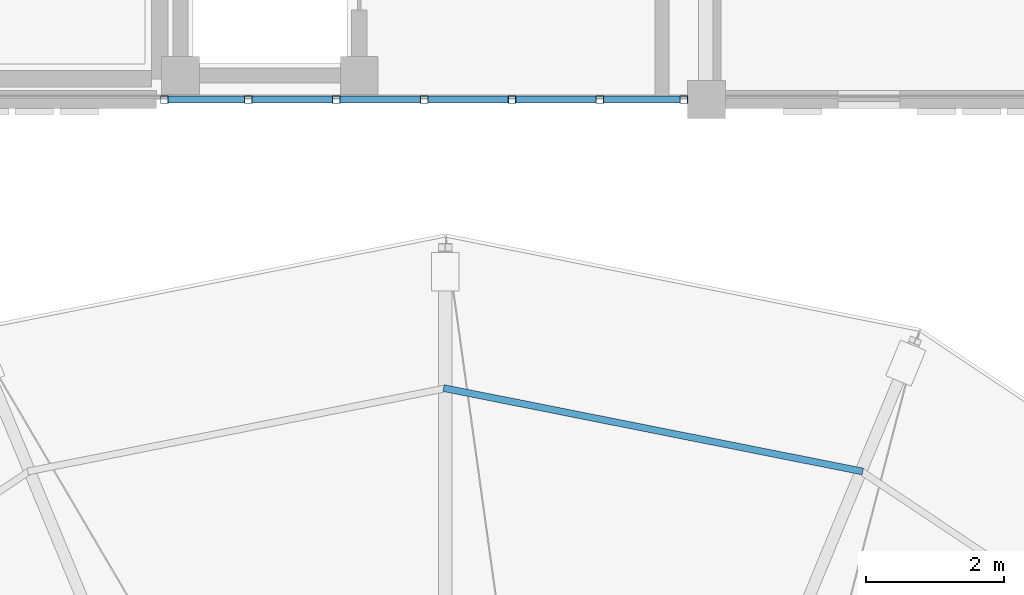
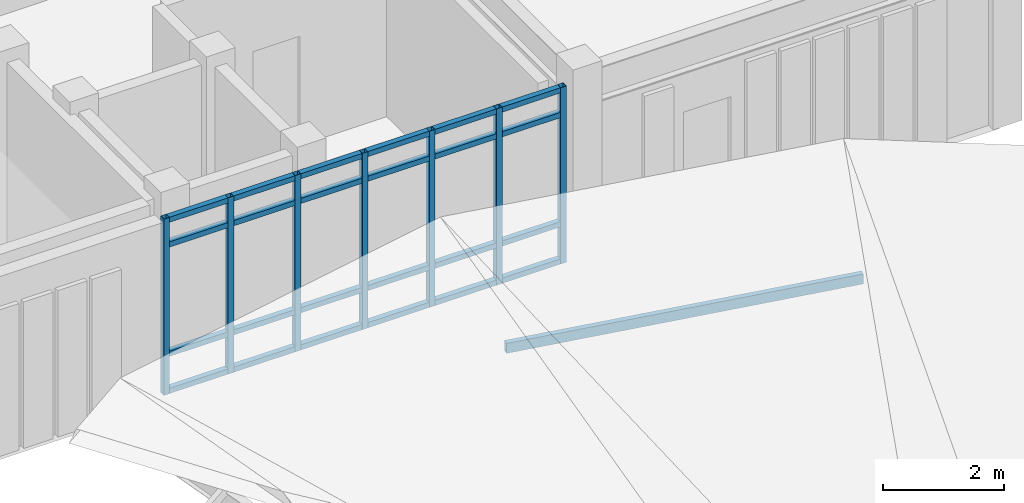
# One storey, part 6 of 31: 32 members, 1 element without a shape of its own.
"""IFC4 building model written with IfcOpenShell, lengths in metres."""

import ifcopenshell
import ifcopenshell.guid

model = None  # the IFC model being written
_history = None  # IfcOwnerHistory: only IFC2X3 demands one
_inside = {}  # id of a spatial element -> (the spatial element, [elements in it])
_under = {}  # id of a project, library or spatial element -> (it, [spatial elements below it])
_declared = {}  # id of a project -> (the project, [libraries it declares])
_typed = {}  # id of a type object -> (the type object, [elements of that type])
_made_of = {}  # id of a material, layer set ... -> (it, [elements and type objects made of it])


def new_model(schema):
    """Start an empty IFC model of exactly this schema.

    Asked for "IFC4X3", IfcOpenShell would pick the latest addendum, in which some entities
    have other attributes; the version numbers below select the first issue.
    IFC2X3 requires an IfcOwnerHistory on every rooted entity: one is made here for all.
    """
    global model, _history
    if schema == "IFC4X3":
        model = ifcopenshell.file(schema_version=(4, 3, 0, 0))
    else:
        model = ifcopenshell.file(schema=schema)
    _inside.clear()
    _under.clear()
    _declared.clear()
    _typed.clear()
    _made_of.clear()
    _history = None
    if model.schema == "IFC2X3":
        org = make("IfcOrganization", Name="unknown")
        user = make(
            "IfcPersonAndOrganization",
            ThePerson=make("IfcPerson", FamilyName="unknown"),
            TheOrganization=org,
        )
        app = make(
            "IfcApplication",
            ApplicationDeveloper=org,
            Version="unknown",
            ApplicationFullName="unknown",
            ApplicationIdentifier="unknown",
        )
        _history = make(
            "IfcOwnerHistory",
            OwningUser=user,
            OwningApplication=app,
            ChangeAction="ADDED",
            CreationDate=0,
        )
    return model


def make(cls, **values):
    """One entity of the class cls with the attributes given. An attribute that is None is left unset."""
    return model.create_entity(
        cls, **{name: value for name, value in values.items() if value is not None}
    )


def rooted(cls, **values):
    """An entity with a GlobalId (a new one), such as an element, a storey or a relation."""
    return make(cls, GlobalId=ifcopenshell.guid.new(), OwnerHistory=_history, **values)


def si_unit(unit_type, name, prefix=None):
    """IfcSIUnit, for example si_unit("LENGTHUNIT", "METRE", prefix="MILLI")."""
    return make("IfcSIUnit", UnitType=unit_type, Prefix=prefix, Name=name)


def assignment(units):
    """IfcUnitAssignment: the units of a project."""
    return None if units is None else make("IfcUnitAssignment", Units=units)


def point(xyz):
    """IfcCartesianPoint."""
    return None if xyz is None else make("IfcCartesianPoint", Coordinates=xyz)


def direction(xyz):
    """IfcDirection."""
    return None if xyz is None else make("IfcDirection", DirectionRatios=xyz)


def frame(location, z_axis=None, x_axis=None):
    """IfcAxis2Placement3D, a coordinate frame: its origin and axes. An axis left out is left unset."""
    return make(
        "IfcAxis2Placement3D",
        Location=point(location),
        Axis=direction(z_axis),
        RefDirection=direction(x_axis),
    )


def frame_2d(location, x_axis=None):
    """IfcAxis2Placement2D, a coordinate frame in the plane: its origin and x axis."""
    return make(
        "IfcAxis2Placement2D", Location=point(location), RefDirection=direction(x_axis)
    )


def origin():
    """The frame at (0, 0, 0) with its axes left unset."""
    return frame((0.0, 0.0, 0.0))


def origin_2d():
    """The frame at (0, 0) in the plane with its x axis left unset."""
    return frame_2d((0.0, 0.0))


def place(relative_to, where):
    """IfcLocalPlacement: puts the frame where relative to a parent placement (None: the world)."""
    return make(
        "IfcLocalPlacement", PlacementRelTo=relative_to, RelativePlacement=where
    )


def context(
    kind, dimensions, precision=None, world=None, true_north=None, identifier=None
):
    """IfcGeometricRepresentationContext, for example the 3D "Model" context."""
    return make(
        "IfcGeometricRepresentationContext",
        ContextIdentifier=identifier,
        ContextType=kind,
        CoordinateSpaceDimension=dimensions,
        Precision=precision,
        WorldCoordinateSystem=world,
        TrueNorth=true_north,
    )


def subcontext(parent, identifier, kind, view, scale=None):
    """IfcGeometricRepresentationSubContext, for example "Body" below "Model"."""
    return make(
        "IfcGeometricRepresentationSubContext",
        ContextIdentifier=identifier,
        ContextType=kind,
        ParentContext=parent,
        TargetScale=scale,
        TargetView=view,
    )


def project(units=None, contexts=None):
    """IfcProject with its units and contexts."""
    return rooted(
        "IfcProject",
        Name="project",
        RepresentationContexts=contexts,
        UnitsInContext=assignment(units),
    )


def spatial(cls, under=None, at=None, **own):
    """A site, building, storey or space (cls), placed at a placement, below another one or the project."""
    s = rooted(cls, ObjectPlacement=at, **own)
    if under is not None:
        _under.setdefault(under.id(), (under, []))[1].append(s)
    return s


def profile(cls, at=None, kind="AREA", **sizes):
    """A parametric profile (cls). Its sizes go by their IFC names, for example OverallWidth=200.0."""
    return make(cls, ProfileType=kind, Position=at, **sizes)


def hollow_rectangle(**sizes):
    """IfcRectangleHollowProfileDef."""
    return profile("IfcRectangleHollowProfileDef", **sizes)


def extrude(swept, where, along, depth):
    """IfcExtrudedAreaSolid: the profile swept, set in the frame where, extruded along a direction by depth."""
    return make(
        "IfcExtrudedAreaSolid",
        SweptArea=swept,
        Position=where,
        ExtrudedDirection=direction(along),
        Depth=depth,
    )


def shape(context_of_items, identifier, shape_type, items):
    """IfcShapeRepresentation: the items that make up one representation, for example the "Body"."""
    return make(
        "IfcShapeRepresentation",
        ContextOfItems=context_of_items,
        RepresentationIdentifier=identifier,
        RepresentationType=shape_type,
        Items=items,
    )


def material(Name=None, Category=None):
    """IfcMaterial."""
    return make("IfcMaterial", Name=Name, Category=Category)


def material_profile(
    of_material, cross_section, Name=None, Category=None, Priority=None
):
    """IfcMaterialProfile: a cross section and its material."""
    return make(
        "IfcMaterialProfile",
        Name=Name,
        Material=of_material,
        Profile=cross_section,
        Priority=Priority,
        Category=Category,
    )


def profile_set(profiles, Name=None, composite=None):
    """IfcMaterialProfileSet."""
    return make(
        "IfcMaterialProfileSet",
        Name=Name,
        MaterialProfiles=profiles,
        CompositeProfile=composite,
    )


def made_of(thing, what):
    """Note that an element or type object is made of a material, layer set ...; save() writes the relation."""
    if what is not None:
        _made_of.setdefault(what.id(), (what, []))[1].append(thing)
    return thing


def type_object(cls, material=None, **own):
    """A type object (cls), such as IfcWallType, which elements share."""
    return made_of(rooted(cls, **own), material)


def element(
    cls,
    number,
    at=None,
    inside=None,
    cuts=None,
    type_object=None,
    material=None,
    context=None,
    identifier="Body",
    shape_type=None,
    held_by="IfcProductDefinitionShape",
    body=None,
    shapes=None,
    **own,
):
    """One element of the class cls, such as IfcWall. Its Tag is "e" and its number.

    at: its placement. inside: the storey or other place that contains it. cuts: it is an
    opening in that element (IfcRelVoidsElement). A single representation is given by context,
    identifier, shape_type and body (its items); several are given by shapes. held_by: the class
    of the entity that holds the representations. save() writes the other relations.
    """
    e = rooted(cls, Tag="e%d" % number, ObjectPlacement=at, **own)
    if body is not None:
        shapes = [shape(context, identifier, shape_type, body)]
    if shapes is not None:
        e.Representation = make(held_by, Representations=shapes)
    if inside is not None:
        _inside.setdefault(inside.id(), (inside, []))[1].append(e)
    if cuts is not None:
        rooted(
            "IfcRelVoidsElement", RelatingBuildingElement=cuts, RelatedOpeningElement=e
        )
    if type_object is not None:
        _typed.setdefault(type_object.id(), (type_object, []))[1].append(e)
    return made_of(e, material)


def aggregate(whole, parts):
    """IfcRelAggregates: a whole, such as a stair, and the parts it consists of."""
    return rooted("IfcRelAggregates", RelatingObject=whole, RelatedObjects=parts)


def save(model, path):
    """Write the relations noted so far, then the file.

    IfcRelAggregates (storeys below a building ...), IfcRelContainedInSpatialStructure (elements
    in a storey), IfcRelDefinesByType, IfcRelAssociatesMaterial and IfcRelDeclares: one each for
    every whole, place, type object, material and project.
    """
    for whole, parts in _under.values():
        aggregate(whole, parts)
    for where, things in _inside.values():
        rooted(
            "IfcRelContainedInSpatialStructure",
            RelatedElements=things,
            RelatingStructure=where,
        )
    for kind, things in _typed.values():
        rooted("IfcRelDefinesByType", RelatedObjects=things, RelatingType=kind)
    for what, things in _made_of.values():
        rooted("IfcRelAssociatesMaterial", RelatedObjects=things, RelatingMaterial=what)
    for by, libraries in _declared.values():
        rooted("IfcRelDeclares", RelatingContext=by, RelatedDefinitions=libraries)
    model.write(path)


model = new_model("IFC4")

# Units and contexts
model_context = context("Model", 3, precision=1e-05, world=origin(), true_north=direction((0.0, 1.0)))
body_context = subcontext(model_context, "Body", "Model", "MODEL_VIEW")
ifc_project = project(units=[si_unit("LENGTHUNIT", "METRE"), si_unit("AREAUNIT", "SQUARE_METRE"), si_unit("VOLUMEUNIT", "CUBIC_METRE"), si_unit("PLANEANGLEUNIT", "RADIAN"), si_unit("MASSUNIT", "GRAM", prefix="KILO")], contexts=[model_context])

# Site, building, storey
site_placement = place(None, origin())
site = spatial("IfcSite", under=ifc_project, at=site_placement, CompositionType="ELEMENT")
building_placement = place(site_placement, origin())
building = spatial("IfcBuilding", under=site, at=building_placement, Name="Celadon Cloister-Ring School", CompositionType="ELEMENT")
storey_placement = place(building_placement, frame((0.0, 0.0, 16.5)))
storey = spatial("IfcBuildingStorey", under=building, at=storey_placement, Name="L04", CompositionType="ELEMENT", Elevation=16.5)

# Curtain wall, members
ifc_material_1 = material(Name="Aluminium EN AW-6063 T6", Category="aluminium")
curtain_wall_type = type_object("IfcCurtainWallType", Name="CW-17", PredefinedType="USERDEFINED", material=ifc_material_1)
curtain_wall_placement = place(storey_placement, origin())
curtain_wall = element("IfcCurtainWall", 1, at=curtain_wall_placement, inside=storey, type_object=curtain_wall_type, Name="Curtain Wall 0208", ObjectType="CURTAIN WALL", PredefinedType="USERDEFINED")
ifc_material_2 = material(Name="Aluminium EN AW-6063 T6", Category="aluminium")
ifc_material_profile_1 = material_profile(ifc_material_2, hollow_rectangle(XDim=0.110107421875, YDim=0.110107421875, WallThickness=0.0048828125, at=origin_2d()), Name="RHS110X110X5")
ifc_profile_set_1 = profile_set([ifc_material_profile_1], Name="Aluminium EN AW-6063 T6")
member_type_1 = type_object("IfcMemberType", Name="CM-01", PredefinedType="MULLION", material=ifc_profile_set_1)
member_1_placement = place(storey_placement, frame((23.669921875, 40.0, 0.0), z_axis=(0.0, 0.0, 1.0), x_axis=(0.0, -1.0, 0.0)))
member_1 = element("IfcMember", 2, at=member_1_placement, type_object=member_type_1, Name="CW-17 mullion 1", PredefinedType="MULLION", context=body_context, shape_type="SweptSolid", body=[
    extrude(hollow_rectangle(XDim=0.110107421875, YDim=0.110107421875, WallThickness=0.0048828125, at=origin_2d()), origin(), (0.0, 0.0, 1.0), 3.550048828125),
])
member_2_placement = place(storey_placement, frame((22.447509765625, 40.0, 0.0), z_axis=(0.0, 0.0, 1.0), x_axis=(0.0, -1.0, 0.0)))
member_2 = element("IfcMember", 3, at=member_2_placement, type_object=member_type_1, Name="CW-17 mullion 2", PredefinedType="MULLION", context=body_context, shape_type="SweptSolid", body=[
    extrude(hollow_rectangle(XDim=0.110107421875, YDim=0.110107421875, WallThickness=0.0048828125, at=origin_2d()), origin(), (0.0, 0.0, 1.0), 3.550048828125),
])
member_3_placement = place(storey_placement, frame((21.169921875, 40.0, 0.0), z_axis=(0.0, 0.0, 1.0), x_axis=(0.0, -1.0, 0.0)))
member_3 = element("IfcMember", 4, at=member_3_placement, type_object=member_type_1, Name="CW-17 mullion 3", PredefinedType="MULLION", context=body_context, shape_type="SweptSolid", body=[
    extrude(hollow_rectangle(XDim=0.110107421875, YDim=0.110107421875, WallThickness=0.0048828125, at=origin_2d()), origin(), (0.0, 0.0, 1.0), 3.550048828125),
])
member_4_placement = place(storey_placement, frame((19.892578125, 40.0, 0.0), z_axis=(0.0, 0.0, 1.0), x_axis=(0.0, -1.0, 0.0)))
member_4 = element("IfcMember", 5, at=member_4_placement, type_object=member_type_1, Name="CW-17 mullion 4", PredefinedType="MULLION", context=body_context, shape_type="SweptSolid", body=[
    extrude(hollow_rectangle(XDim=0.110107421875, YDim=0.110107421875, WallThickness=0.0048828125, at=origin_2d()), origin(), (0.0, 0.0, 1.0), 3.550048828125),
])
member_5_placement = place(storey_placement, frame((18.614990234375, 40.0, 0.0), z_axis=(0.0, 0.0, 1.0), x_axis=(0.0, -1.0, 0.0)))
member_5 = element("IfcMember", 6, at=member_5_placement, type_object=member_type_1, Name="CW-17 mullion 5", PredefinedType="MULLION", context=body_context, shape_type="SweptSolid", body=[
    extrude(hollow_rectangle(XDim=0.110107421875, YDim=0.110107421875, WallThickness=0.0048828125, at=origin_2d()), origin(), (0.0, 0.0, 1.0), 3.550048828125),
])
member_6_placement = place(storey_placement, frame((17.33740234375, 40.0, 0.0), z_axis=(0.0, 0.0, 1.0), x_axis=(0.0, -1.0, 0.0)))
member_6 = element("IfcMember", 7, at=member_6_placement, type_object=member_type_1, Name="CW-17 mullion 6", PredefinedType="MULLION", context=body_context, shape_type="SweptSolid", body=[
    extrude(hollow_rectangle(XDim=0.110107421875, YDim=0.110107421875, WallThickness=0.0048828125, at=origin_2d()), origin(), (0.0, 0.0, 1.0), 3.550048828125),
])
member_7_placement = place(storey_placement, frame((16.114990234375, 40.0, 0.0), z_axis=(0.0, 0.0, 1.0), x_axis=(0.0, -1.0, 0.0)))
member_7 = element("IfcMember", 8, at=member_7_placement, type_object=member_type_1, Name="CW-17 mullion 7", PredefinedType="MULLION", context=body_context, shape_type="SweptSolid", body=[
    extrude(hollow_rectangle(XDim=0.110107421875, YDim=0.110107421875, WallThickness=0.0048828125, at=origin_2d()), origin(), (0.0, 0.0, 1.0), 3.550048828125),
])
ifc_material_3 = material(Name="Aluminium EN AW-6063 T6", Category="aluminium")
ifc_material_profile_2 = material_profile(ifc_material_3, hollow_rectangle(XDim=0.10498046875, YDim=0.10498046875, WallThickness=0.0048828125, at=origin_2d()), Name="RHS105X105X5")
ifc_profile_set_2 = profile_set([ifc_material_profile_2], Name="Aluminium EN AW-6063 T6")
member_type_2 = type_object("IfcMemberType", Name="CTM-01", PredefinedType="USERDEFINED", material=ifc_profile_set_2)
member_8_placement = place(storey_placement, frame((23.614990234375, 40.0, 0.052490234375), z_axis=(-1.0, 0.0, 0.0), x_axis=(0.0, -1.0, 0.0)))
member_8 = element("IfcMember", 9, at=member_8_placement, type_object=member_type_2, Name="CW-17 transom 1.1", ObjectType="TRANSOM", PredefinedType="USERDEFINED", context=body_context, shape_type="SweptSolid", body=[
    extrude(hollow_rectangle(XDim=0.10498046875, YDim=0.10498046875, WallThickness=0.0048828125, at=origin_2d()), origin(), (0.0, 0.0, 1.0), 1.112548828125),
])
member_9_placement = place(storey_placement, frame((23.614990234375, 40.0, 0.800048828125), z_axis=(-1.0, 0.0, 0.0), x_axis=(0.0, -1.0, 0.0)))
member_9 = element("IfcMember", 10, at=member_9_placement, type_object=member_type_2, Name="CW-17 transom 1.2", ObjectType="TRANSOM", PredefinedType="USERDEFINED", context=body_context, shape_type="SweptSolid", body=[
    extrude(hollow_rectangle(XDim=0.10498046875, YDim=0.10498046875, WallThickness=0.0048828125, at=origin_2d()), origin(), (0.0, 0.0, 1.0), 1.112548828125),
])
member_10_placement = place(storey_placement, frame((23.614990234375, 40.0, 3.0), z_axis=(-1.0, 0.0, 0.0), x_axis=(0.0, -1.0, 0.0)))
member_10 = element("IfcMember", 11, at=member_10_placement, type_object=member_type_2, Name="CW-17 transom 1.3", ObjectType="TRANSOM", PredefinedType="USERDEFINED", context=body_context, shape_type="SweptSolid", body=[
    extrude(hollow_rectangle(XDim=0.10498046875, YDim=0.10498046875, WallThickness=0.0048828125, at=origin_2d()), origin(), (0.0, 0.0, 1.0), 1.112548828125),
])
member_11_placement = place(storey_placement, frame((23.614990234375, 40.0, 3.49755859375), z_axis=(-1.0, 0.0, 0.0), x_axis=(0.0, -1.0, 0.0)))
member_11 = element("IfcMember", 12, at=member_11_placement, type_object=member_type_2, Name="CW-17 transom 1.4", ObjectType="TRANSOM", PredefinedType="USERDEFINED", context=body_context, shape_type="SweptSolid", body=[
    extrude(hollow_rectangle(XDim=0.10498046875, YDim=0.10498046875, WallThickness=0.0048828125, at=origin_2d()), origin(), (0.0, 0.0, 1.0), 1.112548828125),
])
member_12_placement = place(storey_placement, frame((22.392578125, 40.0, 0.052490234375), z_axis=(-1.0, 0.0, 0.0), x_axis=(0.0, -1.0, 0.0)))
member_12 = element("IfcMember", 13, at=member_12_placement, type_object=member_type_2, Name="CW-17 transom 2.1", ObjectType="TRANSOM", PredefinedType="USERDEFINED", context=body_context, shape_type="SweptSolid", body=[
    extrude(hollow_rectangle(XDim=0.10498046875, YDim=0.10498046875, WallThickness=0.0048828125, at=origin_2d()), origin(), (0.0, 0.0, 1.0), 1.16748046875),
])
member_13_placement = place(storey_placement, frame((22.392578125, 40.0, 0.800048828125), z_axis=(-1.0, 0.0, 0.0), x_axis=(0.0, -1.0, 0.0)))
member_13 = element("IfcMember", 14, at=member_13_placement, type_object=member_type_2, Name="CW-17 transom 2.2", ObjectType="TRANSOM", PredefinedType="USERDEFINED", context=body_context, shape_type="SweptSolid", body=[
    extrude(hollow_rectangle(XDim=0.10498046875, YDim=0.10498046875, WallThickness=0.0048828125, at=origin_2d()), origin(), (0.0, 0.0, 1.0), 1.16748046875),
])
member_14_placement = place(storey_placement, frame((22.392578125, 40.0, 3.0), z_axis=(-1.0, 0.0, 0.0), x_axis=(0.0, -1.0, 0.0)))
member_14 = element("IfcMember", 15, at=member_14_placement, type_object=member_type_2, Name="CW-17 transom 2.3", ObjectType="TRANSOM", PredefinedType="USERDEFINED", context=body_context, shape_type="SweptSolid", body=[
    extrude(hollow_rectangle(XDim=0.10498046875, YDim=0.10498046875, WallThickness=0.0048828125, at=origin_2d()), origin(), (0.0, 0.0, 1.0), 1.16748046875),
])
member_15_placement = place(storey_placement, frame((22.392578125, 40.0, 3.49755859375), z_axis=(-1.0, 0.0, 0.0), x_axis=(0.0, -1.0, 0.0)))
member_15 = element("IfcMember", 16, at=member_15_placement, type_object=member_type_2, Name="CW-17 transom 2.4", ObjectType="TRANSOM", PredefinedType="USERDEFINED", context=body_context, shape_type="SweptSolid", body=[
    extrude(hollow_rectangle(XDim=0.10498046875, YDim=0.10498046875, WallThickness=0.0048828125, at=origin_2d()), origin(), (0.0, 0.0, 1.0), 1.16748046875),
])
member_16_placement = place(storey_placement, frame((21.114990234375, 40.0, 0.052490234375), z_axis=(-1.0, 0.0, 0.0), x_axis=(0.0, -1.0, 0.0)))
member_16 = element("IfcMember", 17, at=member_16_placement, type_object=member_type_2, Name="CW-17 transom 3.1", ObjectType="TRANSOM", PredefinedType="USERDEFINED", context=body_context, shape_type="SweptSolid", body=[
    extrude(hollow_rectangle(XDim=0.10498046875, YDim=0.10498046875, WallThickness=0.0048828125, at=origin_2d()), origin(), (0.0, 0.0, 1.0), 1.16748046875),
])
member_17_placement = place(storey_placement, frame((21.114990234375, 40.0, 0.800048828125), z_axis=(-1.0, 0.0, 0.0), x_axis=(0.0, -1.0, 0.0)))
member_17 = element("IfcMember", 18, at=member_17_placement, type_object=member_type_2, Name="CW-17 transom 3.2", ObjectType="TRANSOM", PredefinedType="USERDEFINED", context=body_context, shape_type="SweptSolid", body=[
    extrude(hollow_rectangle(XDim=0.10498046875, YDim=0.10498046875, WallThickness=0.0048828125, at=origin_2d()), origin(), (0.0, 0.0, 1.0), 1.16748046875),
])
member_18_placement = place(storey_placement, frame((21.114990234375, 40.0, 3.0), z_axis=(-1.0, 0.0, 0.0), x_axis=(0.0, -1.0, 0.0)))
member_18 = element("IfcMember", 19, at=member_18_placement, type_object=member_type_2, Name="CW-17 transom 3.3", ObjectType="TRANSOM", PredefinedType="USERDEFINED", context=body_context, shape_type="SweptSolid", body=[
    extrude(hollow_rectangle(XDim=0.10498046875, YDim=0.10498046875, WallThickness=0.0048828125, at=origin_2d()), origin(), (0.0, 0.0, 1.0), 1.16748046875),
])
member_19_placement = place(storey_placement, frame((21.114990234375, 40.0, 3.49755859375), z_axis=(-1.0, 0.0, 0.0), x_axis=(0.0, -1.0, 0.0)))
member_19 = element("IfcMember", 20, at=member_19_placement, type_object=member_type_2, Name="CW-17 transom 3.4", ObjectType="TRANSOM", PredefinedType="USERDEFINED", context=body_context, shape_type="SweptSolid", body=[
    extrude(hollow_rectangle(XDim=0.10498046875, YDim=0.10498046875, WallThickness=0.0048828125, at=origin_2d()), origin(), (0.0, 0.0, 1.0), 1.16748046875),
])
member_20_placement = place(storey_placement, frame((19.83740234375, 40.0, 0.052490234375), z_axis=(-1.0, 0.0, 0.0), x_axis=(0.0, -1.0, 0.0)))
member_20 = element("IfcMember", 21, at=member_20_placement, type_object=member_type_2, Name="CW-17 transom 4.1", ObjectType="TRANSOM", PredefinedType="USERDEFINED", context=body_context, shape_type="SweptSolid", body=[
    extrude(hollow_rectangle(XDim=0.10498046875, YDim=0.10498046875, WallThickness=0.0048828125, at=origin_2d()), origin(), (0.0, 0.0, 1.0), 1.16748046875),
])
member_21_placement = place(storey_placement, frame((19.83740234375, 40.0, 0.800048828125), z_axis=(-1.0, 0.0, 0.0), x_axis=(0.0, -1.0, 0.0)))
member_21 = element("IfcMember", 22, at=member_21_placement, type_object=member_type_2, Name="CW-17 transom 4.2", ObjectType="TRANSOM", PredefinedType="USERDEFINED", context=body_context, shape_type="SweptSolid", body=[
    extrude(hollow_rectangle(XDim=0.10498046875, YDim=0.10498046875, WallThickness=0.0048828125, at=origin_2d()), origin(), (0.0, 0.0, 1.0), 1.16748046875),
])
member_22_placement = place(storey_placement, frame((19.83740234375, 40.0, 3.0), z_axis=(-1.0, 0.0, 0.0), x_axis=(0.0, -1.0, 0.0)))
member_22 = element("IfcMember", 23, at=member_22_placement, type_object=member_type_2, Name="CW-17 transom 4.3", ObjectType="TRANSOM", PredefinedType="USERDEFINED", context=body_context, shape_type="SweptSolid", body=[
    extrude(hollow_rectangle(XDim=0.10498046875, YDim=0.10498046875, WallThickness=0.0048828125, at=origin_2d()), origin(), (0.0, 0.0, 1.0), 1.16748046875),
])
member_23_placement = place(storey_placement, frame((19.83740234375, 40.0, 3.49755859375), z_axis=(-1.0, 0.0, 0.0), x_axis=(0.0, -1.0, 0.0)))
member_23 = element("IfcMember", 24, at=member_23_placement, type_object=member_type_2, Name="CW-17 transom 4.4", ObjectType="TRANSOM", PredefinedType="USERDEFINED", context=body_context, shape_type="SweptSolid", body=[
    extrude(hollow_rectangle(XDim=0.10498046875, YDim=0.10498046875, WallThickness=0.0048828125, at=origin_2d()), origin(), (0.0, 0.0, 1.0), 1.16748046875),
])
member_24_placement = place(storey_placement, frame((18.56005859375, 40.0, 0.052490234375), z_axis=(-1.0, 0.0, 0.0), x_axis=(0.0, -1.0, 0.0)))
member_24 = element("IfcMember", 25, at=member_24_placement, type_object=member_type_2, Name="CW-17 transom 5.1", ObjectType="TRANSOM", PredefinedType="USERDEFINED", context=body_context, shape_type="SweptSolid", body=[
    extrude(hollow_rectangle(XDim=0.10498046875, YDim=0.10498046875, WallThickness=0.0048828125, at=origin_2d()), origin(), (0.0, 0.0, 1.0), 1.16748046875),
])
member_25_placement = place(storey_placement, frame((18.56005859375, 40.0, 0.800048828125), z_axis=(-1.0, 0.0, 0.0), x_axis=(0.0, -1.0, 0.0)))
member_25 = element("IfcMember", 26, at=member_25_placement, type_object=member_type_2, Name="CW-17 transom 5.2", ObjectType="TRANSOM", PredefinedType="USERDEFINED", context=body_context, shape_type="SweptSolid", body=[
    extrude(hollow_rectangle(XDim=0.10498046875, YDim=0.10498046875, WallThickness=0.0048828125, at=origin_2d()), origin(), (0.0, 0.0, 1.0), 1.16748046875),
])
member_26_placement = place(storey_placement, frame((18.56005859375, 40.0, 3.0), z_axis=(-1.0, 0.0, 0.0), x_axis=(0.0, -1.0, 0.0)))
member_26 = element("IfcMember", 27, at=member_26_placement, type_object=member_type_2, Name="CW-17 transom 5.3", ObjectType="TRANSOM", PredefinedType="USERDEFINED", context=body_context, shape_type="SweptSolid", body=[
    extrude(hollow_rectangle(XDim=0.10498046875, YDim=0.10498046875, WallThickness=0.0048828125, at=origin_2d()), origin(), (0.0, 0.0, 1.0), 1.16748046875),
])
member_27_placement = place(storey_placement, frame((18.56005859375, 40.0, 3.49755859375), z_axis=(-1.0, 0.0, 0.0), x_axis=(0.0, -1.0, 0.0)))
member_27 = element("IfcMember", 28, at=member_27_placement, type_object=member_type_2, Name="CW-17 transom 5.4", ObjectType="TRANSOM", PredefinedType="USERDEFINED", context=body_context, shape_type="SweptSolid", body=[
    extrude(hollow_rectangle(XDim=0.10498046875, YDim=0.10498046875, WallThickness=0.0048828125, at=origin_2d()), origin(), (0.0, 0.0, 1.0), 1.16748046875),
])
member_28_placement = place(storey_placement, frame((17.282470703125, 40.0, 0.052490234375), z_axis=(-1.0, 0.0, 0.0), x_axis=(0.0, -1.0, 0.0)))
member_28 = element("IfcMember", 29, at=member_28_placement, type_object=member_type_2, Name="CW-17 transom 6.1", ObjectType="TRANSOM", PredefinedType="USERDEFINED", context=body_context, shape_type="SweptSolid", body=[
    extrude(hollow_rectangle(XDim=0.10498046875, YDim=0.10498046875, WallThickness=0.0048828125, at=origin_2d()), origin(), (0.0, 0.0, 1.0), 1.112548828125),
])
member_29_placement = place(storey_placement, frame((17.282470703125, 40.0, 0.800048828125), z_axis=(-1.0, 0.0, 0.0), x_axis=(0.0, -1.0, 0.0)))
member_29 = element("IfcMember", 30, at=member_29_placement, type_object=member_type_2, Name="CW-17 transom 6.2", ObjectType="TRANSOM", PredefinedType="USERDEFINED", context=body_context, shape_type="SweptSolid", body=[
    extrude(hollow_rectangle(XDim=0.10498046875, YDim=0.10498046875, WallThickness=0.0048828125, at=origin_2d()), origin(), (0.0, 0.0, 1.0), 1.112548828125),
])
member_30_placement = place(storey_placement, frame((17.282470703125, 40.0, 3.0), z_axis=(-1.0, 0.0, 0.0), x_axis=(0.0, -1.0, 0.0)))
member_30 = element("IfcMember", 31, at=member_30_placement, type_object=member_type_2, Name="CW-17 transom 6.3", ObjectType="TRANSOM", PredefinedType="USERDEFINED", context=body_context, shape_type="SweptSolid", body=[
    extrude(hollow_rectangle(XDim=0.10498046875, YDim=0.10498046875, WallThickness=0.0048828125, at=origin_2d()), origin(), (0.0, 0.0, 1.0), 1.112548828125),
])
member_31_placement = place(storey_placement, frame((17.282470703125, 40.0, 3.49755859375), z_axis=(-1.0, 0.0, 0.0), x_axis=(0.0, -1.0, 0.0)))
member_31 = element("IfcMember", 32, at=member_31_placement, type_object=member_type_2, Name="CW-17 transom 6.4", ObjectType="TRANSOM", PredefinedType="USERDEFINED", context=body_context, shape_type="SweptSolid", body=[
    extrude(hollow_rectangle(XDim=0.10498046875, YDim=0.10498046875, WallThickness=0.0048828125, at=origin_2d()), origin(), (0.0, 0.0, 1.0), 1.112548828125),
])
aggregate(curtain_wall, [member_1, member_2, member_3, member_4, member_5, member_6, member_7, member_8, member_9, member_10, member_11, member_12, member_13, member_14, member_15, member_16, member_17, member_18, member_19, member_20, member_21, member_22, member_23, member_24, member_25, member_26, member_27, member_28, member_29, member_30, member_31])

# Member
ifc_material_4 = material(Name="Structural steel S355JR", Category="steel")
ifc_material_profile_3 = material_profile(ifc_material_4, hollow_rectangle(XDim=0.10009765625, YDim=0.199951171875, WallThickness=0.008056640625, at=origin_2d()), Name="HSS200X100X8")
ifc_profile_set_3 = profile_set([ifc_material_profile_3], Name="Structural steel S355JR")
member_type_3 = type_object("IfcMemberType", Name="MP-01", PredefinedType="PURLIN", material=ifc_profile_set_3)
member_32_placement = place(storey_placement, frame((26.27099609375, 34.592041015625, 2.050048828125), z_axis=(-0.980775079315, 0.195141599345, 0.0), x_axis=(-0.195141599345, -0.980775079315, 0.0)))
element("IfcMember", 33, at=member_32_placement, inside=storey, type_object=member_type_3, Name="Structural Member 0370", PredefinedType="PURLIN", context=body_context, shape_type="SweptSolid", body=[
    extrude(hollow_rectangle(XDim=0.10009765625, YDim=0.199951171875, WallThickness=0.008056640625, at=origin_2d()), origin(), (0.0, 0.0, 1.0), 6.21533203125),
])

save(model, "model.ifc")
